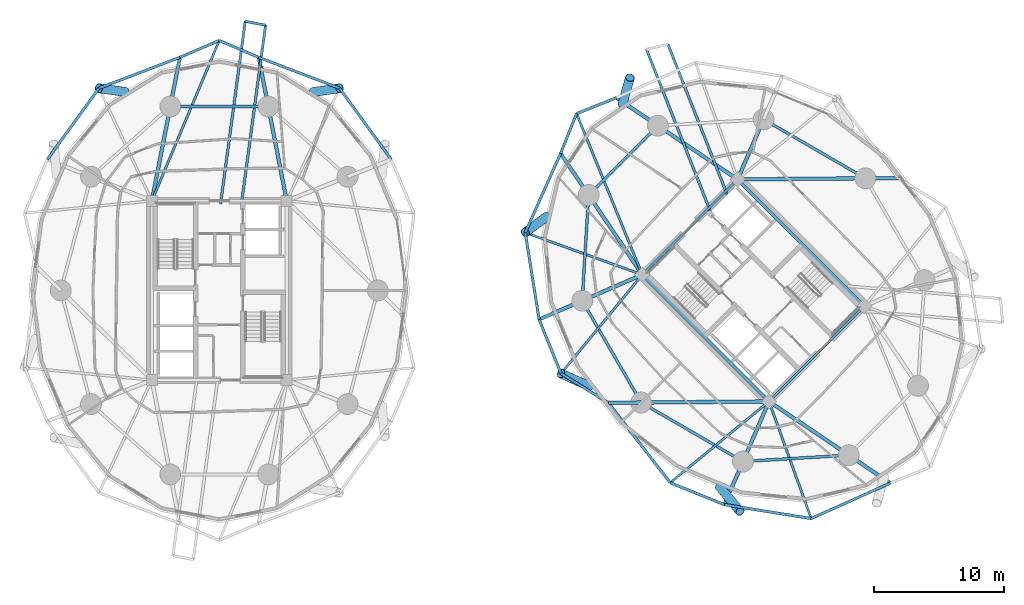
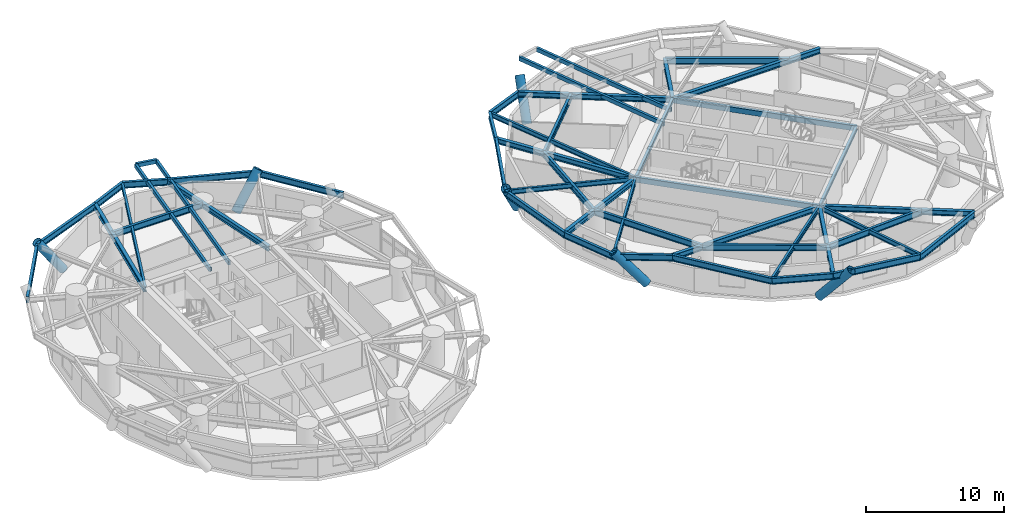
# One storey, part 5 of 17: 49 beams, 6 members.
"""IFC4 building model written with IfcOpenShell, lengths in metres."""

from ifc_helpers import new_model, si_unit, direction, frame, origin, origin_2d, place, context, subcontext, project, spatial, hollow_rectangle, hollow_circle, i_section, extrude, material, material_profile, profile_set, type_object, element, save


model = new_model("IFC4")

# Units and contexts
model_context = context("Model", 3, precision=1e-05, world=origin(), true_north=direction((0.0, 1.0)))
body_context = subcontext(model_context, "Body", "Model", "MODEL_VIEW")
ifc_project = project(units=[si_unit("LENGTHUNIT", "METRE"), si_unit("AREAUNIT", "SQUARE_METRE"), si_unit("VOLUMEUNIT", "CUBIC_METRE"), si_unit("PLANEANGLEUNIT", "RADIAN"), si_unit("MASSUNIT", "GRAM", prefix="KILO")], contexts=[model_context])

# Site, building, storey
site_placement = place(None, origin())
site = spatial("IfcSite", under=ifc_project, at=site_placement, CompositionType="ELEMENT")
building_placement = place(site_placement, origin())
building = spatial("IfcBuilding", under=site, at=building_placement, Name="Cununo Teusaquillo Station Towers", CompositionType="ELEMENT")
storey_placement = place(building_placement, frame((0.0, 0.0, 27.820068359375)))
storey = spatial("IfcBuildingStorey", under=building, at=storey_placement, Name="L07", CompositionType="ELEMENT", Elevation=27.820068359375)

# Beams
ifc_material_1 = material(Name="Steel EN 10025-2 S355J2", Category="steel")
ifc_material_profile_1 = material_profile(ifc_material_1, hollow_rectangle(XDim=0.199951171875, YDim=0.35009765625, WallThickness=0.013916015625, at=origin_2d()), Name="RHS 350x200x14")
ifc_profile_set_1 = profile_set([ifc_material_profile_1], Name="Steel EN 10025-2 S355J2")
beam_type_1 = type_object("IfcBeamType", Name="BM-BAL-CANT", PredefinedType="BEAM", material=ifc_profile_set_1)
beam_1_placement = place(storey_placement, frame((18.200439453125, 31.14990234375, 2.474853515625), z_axis=(0.133965193427, 0.990986037717, 0.0), x_axis=(-0.990986037717, 0.133965193427, 0.0)))
element("IfcBeam", 1, at=beam_1_placement, inside=storey, type_object=beam_type_1, Name="L07 Tower A Balcony Cantilever Bracket 1A", PredefinedType="BEAM", context=body_context, shape_type="SweptSolid", body=[
    extrude(hollow_rectangle(XDim=0.199951171875, YDim=0.35009765625, WallThickness=0.013916015625, at=origin_2d()), origin(), (0.0, 0.0, 1.0), 13.837646484375),
])
beam_2_placement = place(storey_placement, frame((16.59765625, 31.14990234375, 2.474853515625), z_axis=(0.133963716843, 0.990986237326, 0.0), x_axis=(-0.990986237326, 0.133963716843, 0.0)))
element("IfcBeam", 2, at=beam_2_placement, inside=storey, type_object=beam_type_1, Name="L07 Tower A Balcony Cantilever Bracket 1B", PredefinedType="BEAM", context=body_context, shape_type="SweptSolid", body=[
    extrude(hollow_rectangle(XDim=0.199951171875, YDim=0.35009765625, WallThickness=0.013916015625, at=origin_2d()), origin(), (0.0, 0.0, 1.0), 14.14208984375),
])
beam_3_placement = place(storey_placement, frame((55.4853515625, 31.889892578125, 2.474853515625), z_axis=(-0.366951688467, 0.930240000393, 0.0), x_axis=(-0.930240000393, -0.366951688467, 0.0)))
element("IfcBeam", 3, at=beam_3_placement, inside=storey, type_object=beam_type_1, Name="L07 Tower B Balcony Cantilever Bracket 1A", PredefinedType="BEAM", context=body_context, shape_type="SweptSolid", body=[
    extrude(hollow_rectangle(XDim=0.199951171875, YDim=0.35009765625, WallThickness=0.013916015625, at=origin_2d()), origin(), (0.0, 0.0, 1.0), 12.36767578125),
])
beam_4_placement = place(storey_placement, frame((54.194091796875, 30.5986328125, 2.474853515625), z_axis=(-0.366941130364, 0.930244165178, 0.0), x_axis=(-0.930244165178, -0.366941130364, 0.0)))
element("IfcBeam", 4, at=beam_4_placement, inside=storey, type_object=beam_type_1, Name="L07 Tower B Balcony Cantilever Bracket 1B", PredefinedType="BEAM", context=body_context, shape_type="SweptSolid", body=[
    extrude(hollow_rectangle(XDim=0.199951171875, YDim=0.35009765625, WallThickness=0.013916015625, at=origin_2d()), origin(), (0.0, 0.0, 1.0), 13.342041015625),
])
ifc_material_2 = material(Name="Steel EN 10025-2 S355J2", Category="steel")
ifc_material_profile_2 = material_profile(ifc_material_2, hollow_rectangle(XDim=0.25, YDim=0.449951171875, WallThickness=0.01611328125, at=origin_2d()), Name="RHS 450x250x16")
ifc_profile_set_2 = profile_set([ifc_material_profile_2], Name="Steel EN 10025-2 S355J2")
beam_type_2 = type_object("IfcBeamType", Name="BM-COUP-1", PredefinedType="USERDEFINED", material=ifc_profile_set_2)
for number, where, z_axis, x_axis, name in (
    (5, (58.70556640625, 15.975830078125, 2.425048828125), (-0.707106781187, 0.707106781187, 0.0), (-0.707106781187, -0.707106781187, 0.0), "L07 Tower B Core Beam 1"),
    (6, (66.024169921875, 23.29443359375, 2.425048828125), (-0.707106781187, 0.707106781187, 0.0), (-0.707106781187, -0.707106781187, 0.0), "L07 Tower B Core Beam 2"),
):
    element("IfcBeam", number, at=place(storey_placement, frame(where, z_axis=z_axis, x_axis=x_axis)), inside=storey, type_object=beam_type_2, Name=name, ObjectType="COUPLING BEAM", PredefinedType="USERDEFINED", context=body_context, shape_type="SweptSolid", body=[
        extrude(hollow_rectangle(XDim=0.25, YDim=0.449951171875, WallThickness=0.01611328125, at=origin_2d()), origin(), (0.0, 0.0, 1.0), 13.760009765625),
    ])
ifc_material_3 = material(Name="Steel ASTM A572 Grade 50", Category="steel")
ifc_material_profile_3 = material_profile(ifc_material_3, i_section(OverallWidth=0.180908203125, OverallDepth=0.4169921875, WebThickness=0.010986328125, FlangeThickness=0.018310546875, FilletRadius=0.012939453125, at=origin_2d()), Name="W16X57")
ifc_profile_set_3 = profile_set([ifc_material_profile_3], Name="Steel ASTM A572 Grade 50")
beam_type_3 = type_object("IfcBeamType", Name="BM-JOIST-1", PredefinedType="JOIST", material=ifc_profile_set_3)
for number, where, z_axis, x_axis, name in (
    (7, (11.324951171875, 31.3798828125, 2.44140625), (0.387539558454, 0.92185307432, 0.0), (-0.92185307432, 0.387539558454, 0.0), "L07 Tower A Radial Spandrel Joist V05"),
    (8, (48.975830078125, 25.70556640625, 2.44140625), (-0.377815437796, 0.92588092915, 0.0), (-0.92588092915, -0.377815437796, 0.0), "L07 Tower B Radial Spandrel Joist V05"),
):
    element("IfcBeam", number, at=place(storey_placement, frame(where, z_axis=z_axis, x_axis=x_axis)), inside=storey, type_object=beam_type_3, Name=name, PredefinedType="JOIST", context=body_context, shape_type="SweptSolid", body=[
        extrude(i_section(OverallWidth=0.180908203125, OverallDepth=0.4169921875, WebThickness=0.010986328125, FlangeThickness=0.018310546875, FilletRadius=0.012939453125, at=origin_2d()), origin(), (0.0, 0.0, 1.0), 13.353515625),
    ])
beam_5_placement = place(storey_placement, frame((48.975830078125, 25.70556640625, 2.44140625), z_axis=(-0.940761914171, 0.33906787056, 0.0), x_axis=(-0.33906787056, -0.940761914171, 0.0)))
element("IfcBeam", 9, at=beam_5_placement, inside=storey, type_object=beam_type_3, Name="L07 Tower B Radial Spandrel Joist V07", PredefinedType="JOIST", context=body_context, shape_type="SweptSolid", body=[
    extrude(i_section(OverallWidth=0.180908203125, OverallDepth=0.4169921875, WebThickness=0.010986328125, FlangeThickness=0.018310546875, FilletRadius=0.012939453125, at=origin_2d()), origin(), (0.0, 0.0, 1.0), 9.552734375),
])
for number, where, z_axis, x_axis, name in (
    (10, (48.975830078125, 25.70556640625, 2.44140625), (-0.635389148475, -0.772192093976, 0.0), (0.772192093976, -0.635389148475, 0.0), "L07 Tower B Radial Spandrel Joist V09"),
    (11, (58.70556640625, 15.975830078125, 2.44140625), (-0.772192093976, -0.635389148475, 0.0), (0.635389148475, -0.772192093976, 0.0), "L07 Tower B Radial Spandrel Joist V11"),
):
    element("IfcBeam", number, at=place(storey_placement, frame(where, z_axis=z_axis, x_axis=x_axis)), inside=storey, type_object=beam_type_3, Name=name, PredefinedType="JOIST", context=body_context, shape_type="SweptSolid", body=[
        extrude(i_section(OverallWidth=0.180908203125, OverallDepth=0.4169921875, WebThickness=0.010986328125, FlangeThickness=0.018310546875, FilletRadius=0.012939453125, at=origin_2d()), origin(), (0.0, 0.0, 1.0), 9.82080078125),
    ])
beam_6_placement = place(storey_placement, frame((58.70556640625, 15.975830078125, 2.44140625), z_axis=(0.33906787056, -0.940761914171, 0.0), x_axis=(0.940761914171, 0.33906787056, 0.0)))
element("IfcBeam", 12, at=beam_6_placement, inside=storey, type_object=beam_type_3, Name="L07 Tower B Radial Spandrel Joist V13", PredefinedType="JOIST", context=body_context, shape_type="SweptSolid", body=[
    extrude(i_section(OverallWidth=0.180908203125, OverallDepth=0.4169921875, WebThickness=0.010986328125, FlangeThickness=0.018310546875, FilletRadius=0.012939453125, at=origin_2d()), origin(), (0.0, 0.0, 1.0), 9.552734375),
])
ifc_material_4 = material(Name="Steel ASTM A572 Grade 50", Category="steel")
ifc_material_profile_4 = material_profile(ifc_material_4, i_section(OverallWidth=0.2041015625, OverallDepth=0.35009765625, WebThickness=0.008544921875, FlangeThickness=0.01513671875, FilletRadius=0.011962890625, at=origin_2d()), Name="W14X48")
ifc_profile_set_4 = profile_set([ifc_material_profile_4], Name="Steel ASTM A572 Grade 50")
beam_type_4 = type_object("IfcBeamType", Name="BM-LINTEL-1", PredefinedType="LINTEL", material=ifc_profile_set_4)
for number, where, z_axis, x_axis, name in (
    (13, (58.70556640625, 15.975830078125, 2.474853515625), (0.707106781187, 0.707106781187, 0.0), (-0.707106781187, 0.707106781187, 0.0), "L07 Tower B Core Beam 3"),
    (14, (48.975830078125, 25.70556640625, 2.474853515625), (0.707106781187, 0.707106781187, 0.0), (-0.707106781187, 0.707106781187, 0.0), "L07 Tower B Core Beam 4"),
):
    element("IfcBeam", number, at=place(storey_placement, frame(where, z_axis=z_axis, x_axis=x_axis)), inside=storey, type_object=beam_type_4, Name=name, PredefinedType="LINTEL", context=body_context, shape_type="SweptSolid", body=[
        extrude(i_section(OverallWidth=0.2041015625, OverallDepth=0.35009765625, WebThickness=0.008544921875, FlangeThickness=0.01513671875, FilletRadius=0.011962890625, at=origin_2d()), origin(), (0.0, 0.0, 1.0), 10.35009765625),
    ])
ifc_material_5 = material(Name="Steel ASTM A572 Grade 50", Category="steel")
ifc_material_profile_5 = material_profile(ifc_material_5, i_section(OverallWidth=0.280029296875, OverallDepth=0.462890625, WebThickness=0.0107421875, FlangeThickness=0.017333984375, FilletRadius=0.013916015625, at=origin_2d()), Name="W18X76")
ifc_profile_set_5 = profile_set([ifc_material_profile_5], Name="Steel ASTM A572 Grade 50")
beam_type_5 = type_object("IfcBeamType", Name="BM-RAD-G1", PredefinedType="BEAM", material=ifc_profile_set_5)
for number, where, z_axis, x_axis, name in (
    (15, (21.675048828125, 31.3798828125, 2.41845703125), (-0.191549210283, 0.981483010571, 0.0), (-0.981483010571, -0.191549210283, 0.0), "L07 Tower A Continuous Overhanging Radial Girder 03"),
    (16, (11.324951171875, 31.3798828125, 2.41845703125), (0.191549210283, 0.981483010571, 0.0), (-0.981483010571, 0.191549210283, 0.0), "L07 Tower A Continuous Overhanging Radial Girder 04"),
):
    element("IfcBeam", number, at=place(storey_placement, frame(where, z_axis=z_axis, x_axis=x_axis)), inside=storey, type_object=beam_type_5, Name=name, PredefinedType="BEAM", context=body_context, shape_type="SweptSolid", body=[
        extrude(i_section(OverallWidth=0.280029296875, OverallDepth=0.462890625, WebThickness=0.0107421875, FlangeThickness=0.017333984375, FilletRadius=0.013916015625, at=origin_2d()), origin(), (0.0, 0.0, 1.0), 11.22119140625),
    ])
beam_7_placement = place(storey_placement, frame((56.29443359375, 33.024169921875, 2.41845703125), z_axis=(0.999964326722, 0.008446613668, 0.0), x_axis=(-0.008446613668, 0.999964326722, 0.0)))
element("IfcBeam", 17, at=beam_7_placement, inside=storey, type_object=beam_type_5, Name="L07 Tower B Continuous Overhanging Radial Girder 01", PredefinedType="BEAM", context=body_context, shape_type="SweptSolid", body=[
    extrude(i_section(OverallWidth=0.280029296875, OverallDepth=0.462890625, WebThickness=0.0107421875, FlangeThickness=0.017333984375, FilletRadius=0.013916015625, at=origin_2d()), origin(), (0.0, 0.0, 1.0), 12.342041015625),
])
beam_8_placement = place(storey_placement, frame((56.29443359375, 33.024169921875, 2.41845703125), z_axis=(0.397346986387, 0.917668443616, 0.0), x_axis=(-0.917668443616, 0.397346986387, 0.0)))
element("IfcBeam", 18, at=beam_8_placement, inside=storey, type_object=beam_type_5, Name="L07 Tower B Radial Girder 02A", PredefinedType="BEAM", context=body_context, shape_type="SweptSolid", body=[
    extrude(i_section(OverallWidth=0.280029296875, OverallDepth=0.462890625, WebThickness=0.0107421875, FlangeThickness=0.017333984375, FilletRadius=0.013916015625, at=origin_2d()), origin(), (0.0, 0.0, 1.0), 5.02490234375),
])
for number, where, z_axis, x_axis, name in (
    (19, (56.29443359375, 33.024169921875, 2.41845703125), (-0.829460584667, 0.558565249978, 0.0), (-0.558565249978, -0.829460584667, 0.0), "L07 Tower B Continuous Overhanging Radial Girder 03"),
    (20, (48.975830078125, 25.70556640625, 2.41845703125), (-0.558565249978, 0.829460584667, 0.0), (-0.829460584667, -0.558565249978, 0.0), "L07 Tower B Continuous Overhanging Radial Girder 04"),
):
    element("IfcBeam", number, at=place(storey_placement, frame(where, z_axis=z_axis, x_axis=x_axis)), inside=storey, type_object=beam_type_5, Name=name, PredefinedType="BEAM", context=body_context, shape_type="SweptSolid", body=[
        extrude(i_section(OverallWidth=0.280029296875, OverallDepth=0.462890625, WebThickness=0.0107421875, FlangeThickness=0.017333984375, FilletRadius=0.013916015625, at=origin_2d()), origin(), (0.0, 0.0, 1.0), 11.22119140625),
    ])
beam_9_placement = place(storey_placement, frame((48.975830078125, 25.70556640625, 2.41845703125), z_axis=(-0.91765947108, -0.397367707718, 0.0), x_axis=(0.397367707718, -0.91765947108, 0.0)))
element("IfcBeam", 21, at=beam_9_placement, inside=storey, type_object=beam_type_5, Name="L07 Tower B Continuous Overhanging Radial Girder 05", PredefinedType="BEAM", context=body_context, shape_type="SweptSolid", body=[
    extrude(i_section(OverallWidth=0.280029296875, OverallDepth=0.462890625, WebThickness=0.0107421875, FlangeThickness=0.017333984375, FilletRadius=0.013916015625, at=origin_2d()), origin(), (0.0, 0.0, 1.0), 8.631591796875),
])
beam_10_placement = place(storey_placement, frame((58.70556640625, 15.975830078125, 2.41845703125), z_axis=(-0.999964431382, -0.008434214327, 0.0), x_axis=(0.008434214327, -0.999964431382, 0.0)))
element("IfcBeam", 22, at=beam_10_placement, inside=storey, type_object=beam_type_5, Name="L07 Tower B Radial Girder 06A", PredefinedType="BEAM", context=body_context, shape_type="SweptSolid", body=[
    extrude(i_section(OverallWidth=0.280029296875, OverallDepth=0.462890625, WebThickness=0.0107421875, FlangeThickness=0.017333984375, FilletRadius=0.013916015625, at=origin_2d()), origin(), (0.0, 0.0, 1.0), 9.812744140625),
])
beam_11_placement = place(storey_placement, frame((48.89306640625, 15.89306640625, 2.41845703125), z_axis=(-0.999963919198, -0.00849472197, 0.0), x_axis=(0.00849472197, -0.999963919198, 0.0)))
element("IfcBeam", 23, at=beam_11_placement, inside=storey, type_object=beam_type_5, Name="L07 Tower B Perimeter Overhang Girder 06B", PredefinedType="BEAM", context=body_context, shape_type="SweptSolid", body=[
    extrude(i_section(OverallWidth=0.280029296875, OverallDepth=0.462890625, WebThickness=0.0107421875, FlangeThickness=0.017333984375, FilletRadius=0.013916015625, at=origin_2d()), origin(), (0.0, 0.0, 1.0), 2.529052734375),
])
beam_12_placement = place(storey_placement, frame((58.70556640625, 15.975830078125, 2.41845703125), z_axis=(-0.397367707718, -0.91765947108, 0.0), x_axis=(0.91765947108, -0.397367707718, 0.0)))
element("IfcBeam", 24, at=beam_12_placement, inside=storey, type_object=beam_type_5, Name="L07 Tower B Continuous Overhanging Radial Girder 07", PredefinedType="BEAM", context=body_context, shape_type="SweptSolid", body=[
    extrude(i_section(OverallWidth=0.280029296875, OverallDepth=0.462890625, WebThickness=0.0107421875, FlangeThickness=0.017333984375, FilletRadius=0.013916015625, at=origin_2d()), origin(), (0.0, 0.0, 1.0), 8.631591796875),
])
beam_13_placement = place(storey_placement, frame((58.70556640625, 15.975830078125, 2.41845703125), z_axis=(0.829460584667, -0.558565249978, 0.0), x_axis=(0.558565249978, 0.829460584667, 0.0)))
element("IfcBeam", 25, at=beam_13_placement, inside=storey, type_object=beam_type_5, Name="L07 Tower B Continuous Overhanging Radial Girder 08", PredefinedType="BEAM", context=body_context, shape_type="SweptSolid", body=[
    extrude(i_section(OverallWidth=0.280029296875, OverallDepth=0.462890625, WebThickness=0.0107421875, FlangeThickness=0.017333984375, FilletRadius=0.013916015625, at=origin_2d()), origin(), (0.0, 0.0, 1.0), 11.22119140625),
])
ifc_material_6 = material(Name="Steel ASTM A572 Grade 50", Category="steel")
ifc_material_profile_6 = material_profile(ifc_material_6, i_section(OverallWidth=0.214111328125, OverallDepth=0.549072265625, WebThickness=0.0146484375, FlangeThickness=0.023681640625, FilletRadius=0.014892578125, at=origin_2d()), Name="W21X93")
ifc_profile_set_6 = profile_set([ifc_material_profile_6], Name="Steel ASTM A572 Grade 50")
beam_type_6 = type_object("IfcBeamType", Name="BM-RING-Z1", PredefinedType="SPANDREL", material=ifc_profile_set_6)
beam_14_placement = place(storey_placement, frame((20.261474609375, 38.623291015625, 2.37548828125), z_axis=(-1.0, 0.0, 0.0), x_axis=(0.0, -1.0, 0.0)))
element("IfcBeam", 26, at=beam_14_placement, inside=storey, type_object=beam_type_6, Name="L07 Tower A Structural Column Ring Girder 03", PredefinedType="SPANDREL", context=body_context, shape_type="SweptSolid", body=[
    extrude(i_section(OverallWidth=0.214111328125, OverallDepth=0.549072265625, WebThickness=0.0146484375, FlangeThickness=0.023681640625, FilletRadius=0.014892578125, at=origin_2d()), origin(), (0.0, 0.0, 1.0), 7.52294921875),
])
beam_15_placement = place(storey_placement, frame((29.701171875, 34.555419921875, 2.37548828125), z_axis=(-0.586607937648, 0.809871056087, 0.0), x_axis=(-0.809871056087, -0.586607937648, 0.0)))
element("IfcBeam", 27, at=beam_15_placement, inside=storey, type_object=beam_type_6, Name="L07 Tower A Spandrel Ring Beam 03", PredefinedType="SPANDREL", context=body_context, shape_type="SweptSolid", body=[
    extrude(i_section(OverallWidth=0.214111328125, OverallDepth=0.549072265625, WebThickness=0.0146484375, FlangeThickness=0.023681640625, FilletRadius=0.014892578125, at=origin_2d()), origin(), (0.0, 0.0, 1.0), 6.75341796875),
])
beam_16_placement = place(storey_placement, frame((25.739501953125, 40.02490234375, 2.37548828125), z_axis=(-0.934426653529, 0.356155624937, 0.0), x_axis=(-0.356155624937, -0.934426653529, 0.0)))
element("IfcBeam", 28, at=beam_16_placement, inside=storey, type_object=beam_type_6, Name="L07 Tower A Spandrel Ring Beam 04", PredefinedType="SPANDREL", context=body_context, shape_type="SweptSolid", body=[
    extrude(i_section(OverallWidth=0.214111328125, OverallDepth=0.549072265625, WebThickness=0.0146484375, FlangeThickness=0.023681640625, FilletRadius=0.014892578125, at=origin_2d()), origin(), (0.0, 0.0, 1.0), 6.64990234375),
])
for number, where, z_axis, x_axis, name in (
    (29, (19.525634765625, 42.393310546875, 2.37548828125), (-0.919152702301, 0.393901396104, 0.0), (-0.393901396104, -0.919152702301, 0.0), "L07 Tower A Spandrel Ring Beam 05"),
    (30, (16.5, 43.68994140625, 2.37548828125), (-0.919152702301, -0.393901396104, 0.0), (0.393901396104, -0.919152702301, 0.0), "L07 Tower A Spandrel Ring Beam 06"),
):
    element("IfcBeam", number, at=place(storey_placement, frame(where, z_axis=z_axis, x_axis=x_axis)), inside=storey, type_object=beam_type_6, Name=name, PredefinedType="SPANDREL", context=body_context, shape_type="SweptSolid", body=[
        extrude(i_section(OverallWidth=0.214111328125, OverallDepth=0.549072265625, WebThickness=0.0146484375, FlangeThickness=0.023681640625, FilletRadius=0.014892578125, at=origin_2d()), origin(), (0.0, 0.0, 1.0), 3.291748046875),
    ])
beam_17_placement = place(storey_placement, frame((13.474365234375, 42.393310546875, 2.37548828125), z_axis=(-0.934426653529, -0.356155624937, 0.0), x_axis=(0.356155624937, -0.934426653529, 0.0)))
element("IfcBeam", 31, at=beam_17_placement, inside=storey, type_object=beam_type_6, Name="L07 Tower A Spandrel Ring Beam 07", PredefinedType="SPANDREL", context=body_context, shape_type="SweptSolid", body=[
    extrude(i_section(OverallWidth=0.214111328125, OverallDepth=0.549072265625, WebThickness=0.0146484375, FlangeThickness=0.023681640625, FilletRadius=0.014892578125, at=origin_2d()), origin(), (0.0, 0.0, 1.0), 6.64990234375),
])
beam_18_placement = place(storey_placement, frame((7.260498046875, 40.02490234375, 2.37548828125), z_axis=(-0.586607937648, -0.809871056087, 0.0), x_axis=(0.809871056087, -0.586607937648, 0.0)))
element("IfcBeam", 32, at=beam_18_placement, inside=storey, type_object=beam_type_6, Name="L07 Tower A Spandrel Ring Beam 08", PredefinedType="SPANDREL", context=body_context, shape_type="SweptSolid", body=[
    extrude(i_section(OverallWidth=0.214111328125, OverallDepth=0.549072265625, WebThickness=0.0146484375, FlangeThickness=0.023681640625, FilletRadius=0.014892578125, at=origin_2d()), origin(), (0.0, 0.0, 1.0), 6.75341796875),
])
beam_19_placement = place(storey_placement, frame((66.10693359375, 33.10693359375, 2.37548828125), z_axis=(-0.865267103202, 0.501311121078, 0.0), x_axis=(-0.501311121078, -0.865267103202, 0.0)))
element("IfcBeam", 33, at=beam_19_placement, inside=storey, type_object=beam_type_6, Name="L07 Tower B Structural Column Ring Girder 01", PredefinedType="SPANDREL", context=body_context, shape_type="SweptSolid", body=[
    extrude(i_section(OverallWidth=0.214111328125, OverallDepth=0.549072265625, WebThickness=0.0146484375, FlangeThickness=0.023681640625, FilletRadius=0.014892578125, at=origin_2d()), origin(), (0.0, 0.0, 1.0), 9.032958984375),
])
beam_20_placement = place(storey_placement, frame((50.173095703125, 37.146240234375, 2.37548828125), z_axis=(-0.707106781187, -0.707106781187, 0.0), x_axis=(0.707106781187, -0.707106781187, 0.0)))
element("IfcBeam", 34, at=beam_20_placement, inside=storey, type_object=beam_type_6, Name="L07 Tower B Structural Column Ring Girder 03", PredefinedType="SPANDREL", context=body_context, shape_type="SweptSolid", body=[
    extrude(i_section(OverallWidth=0.214111328125, OverallDepth=0.549072265625, WebThickness=0.0146484375, FlangeThickness=0.023681640625, FilletRadius=0.014892578125, at=origin_2d()), origin(), (0.0, 0.0, 1.0), 7.522705078125),
])
beam_21_placement = place(storey_placement, frame((44.853759765625, 31.826904296875, 2.37548828125), z_axis=(-0.06012979176, -0.998190567048, 0.0), x_axis=(0.998190567048, -0.06012979176, 0.0)))
element("IfcBeam", 35, at=beam_21_placement, inside=storey, type_object=beam_type_6, Name="L07 Tower B Structural Column Ring Girder 04", PredefinedType="SPANDREL", context=body_context, shape_type="SweptSolid", body=[
    extrude(i_section(OverallWidth=0.214111328125, OverallDepth=0.549072265625, WebThickness=0.0146484375, FlangeThickness=0.023681640625, FilletRadius=0.014892578125, at=origin_2d()), origin(), (0.0, 0.0, 1.0), 8.132568359375),
])
for number, where, z_axis, x_axis, name in (
    (36, (44.36474609375, 23.708984375, 2.37548828125), (0.501311121078, -0.865267103202, 0.0), (0.865267103202, 0.501311121078, 0.0), "L07 Tower B Structural Column Ring Girder 05"),
    (37, (48.89306640625, 15.89306640625, 2.37548828125), (0.865267103202, -0.501311121078, 0.0), (0.501311121078, 0.865267103202, 0.0), "L07 Tower B Structural Column Ring Girder 06"),
):
    element("IfcBeam", number, at=place(storey_placement, frame(where, z_axis=z_axis, x_axis=x_axis)), inside=storey, type_object=beam_type_6, Name=name, PredefinedType="SPANDREL", context=body_context, shape_type="SweptSolid", body=[
        extrude(i_section(OverallWidth=0.214111328125, OverallDepth=0.549072265625, WebThickness=0.0146484375, FlangeThickness=0.023681640625, FilletRadius=0.014892578125, at=origin_2d()), origin(), (0.0, 0.0, 1.0), 9.032958984375),
    ])
beam_22_placement = place(storey_placement, frame((56.708984375, 11.36474609375, 2.37548828125), z_axis=(0.998190567048, 0.06012979176, 0.0), x_axis=(-0.06012979176, 0.998190567048, 0.0)))
element("IfcBeam", 38, at=beam_22_placement, inside=storey, type_object=beam_type_6, Name="L07 Tower B Structural Column Ring Girder 07", PredefinedType="SPANDREL", context=body_context, shape_type="SweptSolid", body=[
    extrude(i_section(OverallWidth=0.214111328125, OverallDepth=0.549072265625, WebThickness=0.0146484375, FlangeThickness=0.023681640625, FilletRadius=0.014892578125, at=origin_2d()), origin(), (0.0, 0.0, 1.0), 8.132568359375),
])
for number, where, z_axis, x_axis, name in (
    (39, (46.98681640625, 39.2919921875, 2.37548828125), (-0.928456228871, -0.371441827304, 0.0), (0.371441827304, -0.928456228871, 0.0), "L07 Tower B Spandrel Ring Beam 05"),
    (40, (43.9306640625, 38.0693359375, 2.37548828125), (-0.371441827304, -0.928456228871, 0.0), (0.928456228871, -0.371441827304, 0.0), "L07 Tower B Spandrel Ring Beam 06"),
):
    element("IfcBeam", number, at=place(storey_placement, frame(where, z_axis=z_axis, x_axis=x_axis)), inside=storey, type_object=beam_type_6, Name=name, PredefinedType="SPANDREL", context=body_context, shape_type="SweptSolid", body=[
        extrude(i_section(OverallWidth=0.214111328125, OverallDepth=0.549072265625, WebThickness=0.0146484375, FlangeThickness=0.023681640625, FilletRadius=0.014892578125, at=origin_2d()), origin(), (0.0, 0.0, 1.0), 3.291748046875),
    ])
beam_23_placement = place(storey_placement, frame((42.7080078125, 35.01318359375, 2.37548828125), z_axis=(-0.408878798951, -0.912588695836, 0.0), x_axis=(0.912588695836, -0.408878798951, 0.0)))
element("IfcBeam", 41, at=beam_23_placement, inside=storey, type_object=beam_type_6, Name="L07 Tower B Spandrel Ring Beam 07", PredefinedType="SPANDREL", context=body_context, shape_type="SweptSolid", body=[
    extrude(i_section(OverallWidth=0.214111328125, OverallDepth=0.549072265625, WebThickness=0.0146484375, FlangeThickness=0.023681640625, FilletRadius=0.014892578125, at=origin_2d()), origin(), (0.0, 0.0, 1.0), 6.64990234375),
])
beam_24_placement = place(storey_placement, frame((39.989013671875, 28.944580078125, 2.37548828125), z_axis=(0.157829770834, -0.987466335344, 0.0), x_axis=(0.987466335344, 0.157829770834, 0.0)))
element("IfcBeam", 42, at=beam_24_placement, inside=storey, type_object=beam_type_6, Name="L07 Tower B Spandrel Ring Beam 08", PredefinedType="SPANDREL", context=body_context, shape_type="SweptSolid", body=[
    extrude(i_section(OverallWidth=0.214111328125, OverallDepth=0.549072265625, WebThickness=0.0146484375, FlangeThickness=0.023681640625, FilletRadius=0.014892578125, at=origin_2d()), origin(), (0.0, 0.0, 1.0), 6.753662109375),
])
beam_25_placement = place(storey_placement, frame((41.054931640625, 22.275634765625, 2.37548828125), z_axis=(0.375135909025, -0.926969821386, 0.0), x_axis=(0.926969821386, 0.375135909025, 0.0)))
element("IfcBeam", 43, at=beam_25_placement, inside=storey, type_object=beam_type_6, Name="L07 Tower B Spandrel Ring Beam 09", PredefinedType="SPANDREL", context=body_context, shape_type="SweptSolid", body=[
    extrude(i_section(OverallWidth=0.214111328125, OverallDepth=0.549072265625, WebThickness=0.0146484375, FlangeThickness=0.023681640625, FilletRadius=0.014892578125, at=origin_2d()), origin(), (0.0, 0.0, 1.0), 4.480712890625),
])
beam_26_placement = place(storey_placement, frame((42.73583984375, 18.1220703125, 2.37548828125), z_axis=(0.849795627585, -0.527112313779, 0.0), x_axis=(0.527112313779, 0.849795627585, 0.0)))
element("IfcBeam", 44, at=beam_26_placement, inside=storey, type_object=beam_type_6, Name="L07 Tower B Spandrel Ring Beam 10", PredefinedType="SPANDREL", context=body_context, shape_type="SweptSolid", body=[
    extrude(i_section(OverallWidth=0.214111328125, OverallDepth=0.549072265625, WebThickness=0.0146484375, FlangeThickness=0.023681640625, FilletRadius=0.014892578125, at=origin_2d()), origin(), (0.0, 0.0, 1.0), 4.26953125),
])
beam_27_placement = place(storey_placement, frame((46.364013671875, 15.87158203125, 2.37548828125), z_axis=(0.612801480015, -0.790236892388, 0.0), x_axis=(0.790236892388, 0.612801480015, 0.0)))
element("IfcBeam", 45, at=beam_27_placement, inside=storey, type_object=beam_type_6, Name="L07 Tower B Spandrel Ring Beam 11", PredefinedType="SPANDREL", context=body_context, shape_type="SweptSolid", body=[
    extrude(i_section(OverallWidth=0.214111328125, OverallDepth=0.549072265625, WebThickness=0.0146484375, FlangeThickness=0.023681640625, FilletRadius=0.014892578125, at=origin_2d()), origin(), (0.0, 0.0, 1.0), 7.764404296875),
])
beam_28_placement = place(storey_placement, frame((51.1220703125, 9.73583984375, 2.37548828125), z_axis=(0.926969821386, -0.375135909025, 0.0), x_axis=(0.375135909025, 0.926969821386, 0.0)))
element("IfcBeam", 46, at=beam_28_placement, inside=storey, type_object=beam_type_6, Name="L07 Tower B Spandrel Ring Beam 12", PredefinedType="SPANDREL", context=body_context, shape_type="SweptSolid", body=[
    extrude(i_section(OverallWidth=0.214111328125, OverallDepth=0.549072265625, WebThickness=0.0146484375, FlangeThickness=0.023681640625, FilletRadius=0.014892578125, at=origin_2d()), origin(), (0.0, 0.0, 1.0), 4.480712890625),
])
beam_29_placement = place(storey_placement, frame((55.275634765625, 8.054931640625, 2.37548828125), z_axis=(0.987466335344, -0.157829770834, 0.0), x_axis=(0.157829770834, 0.987466335344, 0.0)))
element("IfcBeam", 47, at=beam_29_placement, inside=storey, type_object=beam_type_6, Name="L07 Tower B Spandrel Ring Beam 13", PredefinedType="SPANDREL", context=body_context, shape_type="SweptSolid", body=[
    extrude(i_section(OverallWidth=0.214111328125, OverallDepth=0.549072265625, WebThickness=0.0146484375, FlangeThickness=0.023681640625, FilletRadius=0.014892578125, at=origin_2d()), origin(), (0.0, 0.0, 1.0), 6.753662109375),
])
beam_30_placement = place(storey_placement, frame((61.944580078125, 6.989013671875, 2.37548828125), z_axis=(0.912588695836, 0.408878798951, 0.0), x_axis=(-0.408878798951, 0.912588695836, 0.0)))
element("IfcBeam", 48, at=beam_30_placement, inside=storey, type_object=beam_type_6, Name="L07 Tower B Spandrel Ring Beam 14", PredefinedType="SPANDREL", context=body_context, shape_type="SweptSolid", body=[
    extrude(i_section(OverallWidth=0.214111328125, OverallDepth=0.549072265625, WebThickness=0.0146484375, FlangeThickness=0.023681640625, FilletRadius=0.014892578125, at=origin_2d()), origin(), (0.0, 0.0, 1.0), 6.64990234375),
])
ifc_material_7 = material(Name="Steel EN 10025-2 S355J2", Category="steel")
ifc_material_profile_7 = material_profile(ifc_material_7, hollow_rectangle(XDim=0.199951171875, YDim=0.35009765625, WallThickness=0.013916015625, at=origin_2d()), Name="RHS 350x200x14")
ifc_profile_set_7 = profile_set([ifc_material_profile_7], Name="Steel EN 10025-2 S355J2")
beam_type_7 = type_object("IfcBeamType", Name="BM-STAIR-TRIM", PredefinedType="BEAM", material=ifc_profile_set_7)
beam_31_placement = place(storey_placement, frame((20.05419921875, 44.86279296875, 2.52490234375), z_axis=(-0.981846285306, 0.18967833833, 0.0), x_axis=(-0.18967833833, -0.981846285306, 0.0)))
element("IfcBeam", 49, at=beam_31_placement, inside=storey, type_object=beam_type_7, Name="L07 Tower A Balcony Edge Trimmer Beam 1", PredefinedType="BEAM", context=body_context, shape_type="SweptSolid", body=[
    extrude(hollow_rectangle(XDim=0.199951171875, YDim=0.35009765625, WallThickness=0.013916015625, at=origin_2d()), origin(), (0.0, 0.0, 1.0), 1.5908203125),
])

# Members
ifc_material_8 = material(Name="Steel EN 10025-2 S355J2", Category="steel")
ifc_material_profile_8 = material_profile(ifc_material_8, hollow_circle(Radius=0.360107421875, WallThickness=0.028076171875, at=origin_2d()), Name="CHS 720x28")
ifc_profile_set_8 = profile_set([ifc_material_profile_8], Name="Steel EN 10025-2 S355J2")
member_type = type_object("IfcMemberType", Name="MBR-DIAG-Z1", PredefinedType="BRACE", material=ifc_profile_set_8)
for number, where, z_axis, x_axis, name in (
    (50, (23.710693359375, 39.734619140625, -0.14013671875), (0.569985901583, 0.081553939468, 0.81759710552), (-0.1416381581, 0.989918497741, 0.0), "L07 Tower A Folded-Zigzag Diagrid Tube C03"),
    (51, (9.289306640625, 39.734619140625, -0.14013671875), (-0.569985901583, 0.081553939468, 0.81759710552), (-0.1416381581, -0.989918497741, 0.0), "L07 Tower A Folded-Zigzag Diagrid Tube C06"),
):
    element("IfcMember", number, at=place(storey_placement, frame(where, z_axis=z_axis, x_axis=x_axis)), inside=storey, type_object=member_type, Name=name, PredefinedType="BRACE", context=body_context, shape_type="SweptSolid", body=[
        extrude(hollow_circle(Radius=0.360107421875, WallThickness=0.028076171875, at=origin_2d()), origin(), (0.0, 0.0, 1.0), 3.559326171875),
    ])
member_1_placement = place(storey_placement, frame((47.45361328125, 38.79150390625, -0.14013671875), z_axis=(0.159683606554, 0.568237973957, 0.807221624308), x_axis=(-0.962709788537, 0.270536250908, 0.0)))
element("IfcMember", 52, at=member_1_placement, inside=storey, type_object=member_type, Name="L07 Tower B Folded-Zigzag Diagrid Tube C04", PredefinedType="BRACE", context=body_context, shape_type="SweptSolid", body=[
    extrude(hollow_circle(Radius=0.360107421875, WallThickness=0.028076171875, at=origin_2d()), origin(), (0.0, 0.0, 1.0), 3.605224609375),
])
member_2_placement = place(storey_placement, frame((41.628662109375, 30.173828125, -0.14013671875), z_axis=(-0.460667971989, -0.34536379377, 0.81762391693), x_axis=(0.599847495595, -0.800114355594, 0.0)))
element("IfcMember", 53, at=member_2_placement, inside=storey, type_object=member_type, Name="L07 Tower B Folded-Zigzag Diagrid Tube C06", PredefinedType="BRACE", context=body_context, shape_type="SweptSolid", body=[
    extrude(hollow_circle(Radius=0.360107421875, WallThickness=0.028076171875, at=origin_2d()), origin(), (0.0, 0.0, 1.0), 3.559326171875),
])
member_3_placement = place(storey_placement, frame((44.94140625, 17.12451171875, -0.14013671875), z_axis=(-0.582662964773, 0.263533415327, 0.768800369724), x_axis=(-0.412100093076, -0.911138580726, 0.0)))
element("IfcMember", 54, at=member_3_placement, inside=storey, type_object=member_type, Name="L07 Tower B Folded-Zigzag Diagrid Tube C09", PredefinedType="BRACE", context=body_context, shape_type="SweptSolid", body=[
    extrude(hollow_circle(Radius=0.360107421875, WallThickness=0.028076171875, at=origin_2d()), origin(), (0.0, 0.0, 1.0), 3.785400390625),
])
member_4_placement = place(storey_placement, frame((54.90185546875, 9.45166015625, -0.14013671875), z_axis=(0.413177827492, -0.501438070314, 0.760160472866), x_axis=(0.771757381262, 0.635917089304, 0.0)))
element("IfcMember", 55, at=member_4_placement, inside=storey, type_object=member_type, Name="L07 Tower B Folded-Zigzag Diagrid Tube C11", PredefinedType="BRACE", context=body_context, shape_type="SweptSolid", body=[
    extrude(hollow_circle(Radius=0.360107421875, WallThickness=0.028076171875, at=origin_2d()), origin(), (0.0, 0.0, 1.0), 3.828369140625),
])

save(model, "model.ifc")
